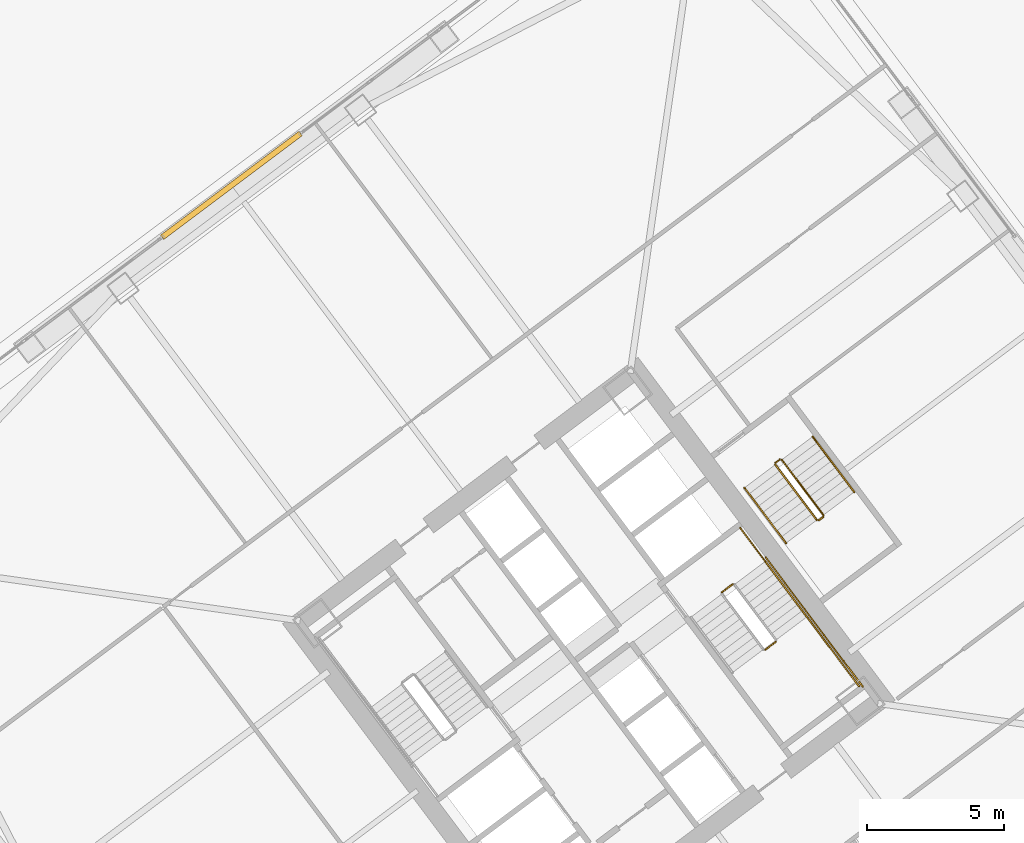
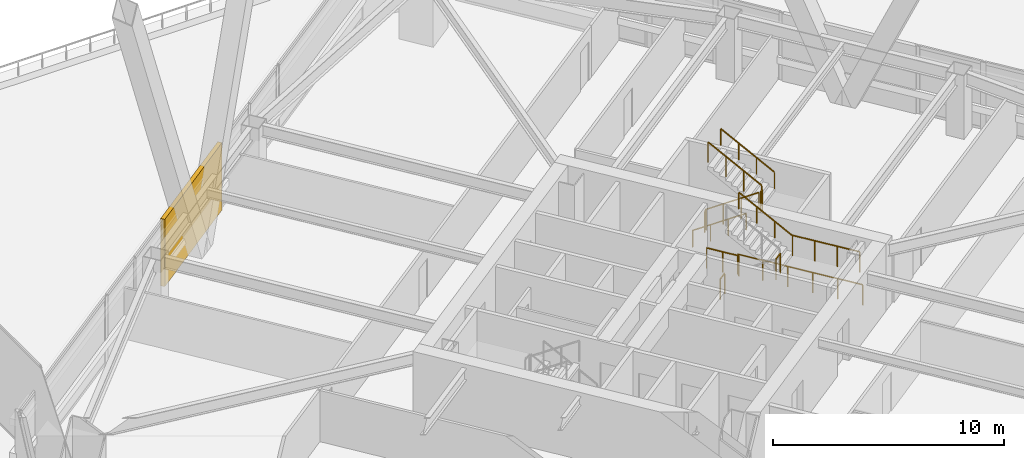
# One storey, part 81 of 83: 12 railings, 1 covering.
"""IFC4 building model written with IfcOpenShell, lengths in metres."""

from ifc_helpers import new_model, si_unit, direction, frame, origin, origin_2d, place, context, subcontext, project, spatial, rectangle, extrude, material, layer, layer_set, type_object, element, save


model = new_model("IFC4")

# Units and contexts
model_context = context("Model", 3, precision=1e-05, world=origin(), true_north=direction((0.0, 1.0)))
body_context = subcontext(model_context, "Body", "Model", "MODEL_VIEW")
ifc_project = project(units=[si_unit("LENGTHUNIT", "METRE"), si_unit("AREAUNIT", "SQUARE_METRE"), si_unit("VOLUMEUNIT", "CUBIC_METRE"), si_unit("PLANEANGLEUNIT", "RADIAN"), si_unit("MASSUNIT", "GRAM", prefix="KILO")], contexts=[model_context])

# Site, building, storey
site_placement = place(None, origin())
site = spatial("IfcSite", under=ifc_project, at=site_placement, CompositionType="ELEMENT")
building_placement = place(site_placement, origin())
building = spatial("IfcBuilding", under=site, at=building_placement, Name="Tashvorn Skyway Center", CompositionType="ELEMENT")
storey_placement = place(building_placement, frame((0.0, 0.0, 24.60009765625)))
storey = spatial("IfcBuildingStorey", under=building, at=storey_placement, Name="L05", CompositionType="ELEMENT", Elevation=24.60009765625)

# Covering
ifc_material_1 = material(Name="Precast concrete C40/50", Category="concrete")
ifc_layer = layer(ifc_material_1, 0.199951171875)
ifc_layer_set = layer_set([ifc_layer], Name="Precast concrete C40/50")
covering_type = type_object("IfcCoveringType", Name="COV-BRACE-CLAD", PredefinedType="CLADDING", material=ifc_layer_set)
covering_placement = place(storey_placement, frame((100.991943359375, 49.343994140625, 0.0), z_axis=(0.0, 0.0, 1.0), x_axis=(0.799999996291, 0.600000004945, 0.0)))
element("IfcCovering", 1, at=covering_placement, inside=storey, type_object=covering_type, Name="Tower 2 L05 North Unitised Curtain Wall Mega-Brace Cladding Band 1", PredefinedType="CLADDING", context=body_context, shape_type="SweptSolid", body=[
    extrude(rectangle(XDim=6.293212890625, YDim=0.199951171875, at=origin_2d()), origin(), (0.0, 0.0, 1.0), 3.550048828125),
])

# Railings
ifc_material_2 = material(Name="Brushed stainless steel 316", Category="steel")
railing_type_1 = type_object("IfcRailingType", Name="RAIL-HAND-920", PredefinedType="HANDRAIL", material=ifc_material_2)
railing_1_placement = place(storey_placement, frame((121.927978515625, 33.64599609375, 1.952392578125)))
element("IfcRailing", 2, at=railing_1_placement, inside=storey, type_object=railing_type_1, Name="L05 ST-T2-2 stair handrail 2", PredefinedType="HANDRAIL", context=body_context, shape_type="SweptSolid", body=[
    extrude(rectangle(XDim=0.048095703125, YDim=0.048095703125, at=origin_2d()), frame((0.0, 0.0, 0.8759765625), z_axis=(-0.506740800098, 0.675708949977, 0.535379469569), x_axis=(-0.800023250257, -0.599968998406, 0.0)), (0.0, 0.0, 1.0), 2.983642578125),
    extrude(rectangle(XDim=0.0419921875, YDim=0.0419921875, at=origin_2d()), origin(), (0.0, 0.0, 1.0), 0.851806640625),
    extrude(rectangle(XDim=0.0419921875, YDim=0.0419921875, at=origin_2d()), frame((-0.50390625, 0.672119140625, 0.532470703125)), (0.0, 0.0, 1.0), 0.851806640625),
    extrude(rectangle(XDim=0.0419921875, YDim=0.0419921875, at=origin_2d()), frame((-1.008056640625, 1.343994140625, 1.06494140625)), (0.0, 0.0, 1.0), 0.851806640625),
    extrude(rectangle(XDim=0.0419921875, YDim=0.0419921875, at=origin_2d()), frame((-1.511962890625, 2.01611328125, 1.597412109375)), (0.0, 0.0, 1.0), 0.851806640625),
])
railing_2_placement = place(storey_placement, frame((119.656005859375, 38.342041015625, 0.177490234375)))
element("IfcRailing", 3, at=railing_2_placement, inside=storey, type_object=railing_type_1, Name="L05 ST-T2-3 stair handrail 1", PredefinedType="HANDRAIL", context=body_context, shape_type="SweptSolid", body=[
    extrude(rectangle(XDim=0.048095703125, YDim=0.048095703125, at=origin_2d()), frame((0.0, 0.0, 0.8759765625), z_axis=(0.506740800098, -0.675708949977, 0.535379469569), x_axis=(0.800023250257, 0.599968998406, 0.0)), (0.0, 0.0, 1.0), 2.983642578125),
    extrude(rectangle(XDim=0.0419921875, YDim=0.0419921875, at=origin_2d()), origin(), (0.0, 0.0, 1.0), 0.851806640625),
    extrude(rectangle(XDim=0.0419921875, YDim=0.0419921875, at=origin_2d()), frame((0.50390625, -0.672119140625, 0.532470703125)), (0.0, 0.0, 1.0), 0.851806640625),
    extrude(rectangle(XDim=0.0419921875, YDim=0.0419921875, at=origin_2d()), frame((1.008056640625, -1.343994140625, 1.06494140625)), (0.0, 0.0, 1.0), 0.851806640625),
    extrude(rectangle(XDim=0.0419921875, YDim=0.0419921875, at=origin_2d()), frame((1.511962890625, -2.01611328125, 1.597412109375)), (0.0, 0.0, 1.0), 0.851806640625),
])
railing_3_placement = place(storey_placement, frame((123.64794921875, 38.18603515625, 1.952392578125)))
element("IfcRailing", 4, at=railing_3_placement, inside=storey, type_object=railing_type_1, Name="L05 ST-T2-3 stair handrail 2", PredefinedType="HANDRAIL", context=body_context, shape_type="SweptSolid", body=[
    extrude(rectangle(XDim=0.048095703125, YDim=0.048095703125, at=origin_2d()), frame((0.0, 0.0, 0.8759765625), z_axis=(-0.506768818287, 0.675664481285, 0.535409071218), x_axis=(-0.79998837352, -0.60001550166, 0.0)), (0.0, 0.0, 1.0), 2.983642578125),
    extrude(rectangle(XDim=0.0419921875, YDim=0.0419921875, at=origin_2d()), origin(), (0.0, 0.0, 1.0), 0.851806640625),
    extrude(rectangle(XDim=0.0419921875, YDim=0.0419921875, at=origin_2d()), frame((-0.50390625, 0.671875, 0.532470703125)), (0.0, 0.0, 1.0), 0.851806640625),
    extrude(rectangle(XDim=0.0419921875, YDim=0.0419921875, at=origin_2d()), frame((-1.008056640625, 1.343994140625, 1.06494140625)), (0.0, 0.0, 1.0), 0.851806640625),
    extrude(rectangle(XDim=0.0419921875, YDim=0.0419921875, at=origin_2d()), frame((-1.511962890625, 2.015869140625, 1.597412109375)), (0.0, 0.0, 1.0), 0.851806640625),
])
ifc_material_3 = material(Name="Painted galvanized steel S355", Category="steel")
railing_type_2 = type_object("IfcRailingType", Name="RAIL-STGUARD-1100", PredefinedType="GUARDRAIL", material=ifc_material_3)
railing_4_placement = place(storey_placement, frame((120.4140625, 32.447998046875, 1.77490234375)))
element("IfcRailing", 5, at=railing_4_placement, inside=storey, type_object=railing_type_2, Name="L05 ST-T2-2 stair guard 2", PredefinedType="GUARDRAIL", context=body_context, shape_type="SweptSolid", body=[
    extrude(rectangle(XDim=0.048095703125, YDim=0.048095703125, at=origin_2d()), frame((0.0, 0.0, 1.076171875), z_axis=(0.799938970639, 0.600081363861, 0.0), x_axis=(-0.600081363861, 0.799938970639, 0.0)), (0.0, 0.0, 1.0), 0.47998046875),
    extrude(rectangle(XDim=0.0419921875, YDim=0.0419921875, at=origin_2d()), origin(), (0.0, 0.0, 1.0), 1.052001953125),
    extrude(rectangle(XDim=0.0419921875, YDim=0.0419921875, at=origin_2d()), frame((0.384033203125, 0.2880859375, 0.0)), (0.0, 0.0, 1.0), 1.052001953125),
])
railing_5_placement = place(storey_placement, frame((121.927978515625, 33.64599609375, 1.77490234375)))
element("IfcRailing", 6, at=railing_5_placement, inside=storey, type_object=railing_type_2, Name="L05 ST-T2-2 stair guard 3", PredefinedType="GUARDRAIL", context=body_context, shape_type="SweptSolid", body=[
    extrude(rectangle(XDim=0.048095703125, YDim=0.048095703125, at=origin_2d()), frame((0.0, 0.0, 1.076171875), z_axis=(0.599987638607, -0.800009270896, 0.0), x_axis=(0.800009270896, 0.599987638607, 0.0)), (0.0, 0.0, 1.0), 3.16015625),
    extrude(rectangle(XDim=0.0419921875, YDim=0.0419921875, at=origin_2d()), origin(), (0.0, 0.0, 1.0), 1.052001953125),
    extrude(rectangle(XDim=0.0419921875, YDim=0.0419921875, at=origin_2d()), frame((0.632080078125, -0.8427734375, 0.0)), (0.0, 0.0, 1.0), 1.052001953125),
    extrude(rectangle(XDim=0.0419921875, YDim=0.0419921875, at=origin_2d()), frame((1.263916015625, -1.685302734375, 0.0)), (0.0, 0.0, 1.0), 1.052001953125),
    extrude(rectangle(XDim=0.0419921875, YDim=0.0419921875, at=origin_2d()), frame((1.89599609375, -2.528076171875, 0.0)), (0.0, 0.0, 1.0), 1.052001953125),
])
railing_6_placement = place(storey_placement, frame((118.842041015625, 34.5439453125, 0.0)))
element("IfcRailing", 7, at=railing_6_placement, inside=storey, type_object=railing_type_2, Name="L05 ST-T2-2 stair guard 5", PredefinedType="GUARDRAIL", context=body_context, shape_type="SweptSolid", body=[
    extrude(rectangle(XDim=0.048095703125, YDim=0.048095703125, at=origin_2d()), frame((0.0, 0.0, 1.076171875), z_axis=(0.799938970639, 0.600081363861, 0.0), x_axis=(-0.600081363861, 0.799938970639, 0.0)), (0.0, 0.0, 1.0), 0.47998046875),
    extrude(rectangle(XDim=0.0419921875, YDim=0.0419921875, at=origin_2d()), origin(), (0.0, 0.0, 1.0), 1.052001953125),
    extrude(rectangle(XDim=0.0419921875, YDim=0.0419921875, at=origin_2d()), frame((0.384033203125, 0.2880859375, 0.0)), (0.0, 0.0, 1.0), 1.052001953125),
])
railing_7_placement = place(storey_placement, frame((119.50390625, 36.8779296875, 0.0)))
element("IfcRailing", 8, at=railing_7_placement, inside=storey, type_object=railing_type_2, Name="L05 ST-T2-2 stair guard 6", PredefinedType="GUARDRAIL", context=body_context, shape_type="SweptSolid", body=[
    extrude(rectangle(XDim=0.048095703125, YDim=0.048095703125, at=origin_2d()), frame((0.0, 0.0, 1.076171875), z_axis=(0.600102796382, -0.799922892393, 0.0), x_axis=(0.799922892393, 0.600102796382, 0.0)), (0.0, 0.0, 1.0), 1.52001953125),
    extrude(rectangle(XDim=0.0419921875, YDim=0.0419921875, at=origin_2d()), origin(), (0.0, 0.0, 1.0), 1.052001953125),
    extrude(rectangle(XDim=0.0419921875, YDim=0.0419921875, at=origin_2d()), frame((0.4560546875, -0.60791015625, 0.0)), (0.0, 0.0, 1.0), 1.052001953125),
    extrude(rectangle(XDim=0.0419921875, YDim=0.0419921875, at=origin_2d()), frame((0.912109375, -1.2158203125, 0.0)), (0.0, 0.0, 1.0), 1.052001953125),
])
railing_8_placement = place(storey_placement, frame((120.43603515625, 35.802001953125, 0.0)))
element("IfcRailing", 9, at=railing_8_placement, inside=storey, type_object=railing_type_2, Name="L05 ST-T2-2 stair guard 7", PredefinedType="GUARDRAIL", context=body_context, shape_type="SweptSolid", body=[
    extrude(rectangle(XDim=0.048095703125, YDim=0.048095703125, at=origin_2d()), frame((0.0, 0.0, 1.076171875), z_axis=(0.6, -0.8, 0.0), x_axis=(0.8, 0.6, 0.0)), (0.0, 0.0, 1.0), 5.880126953125),
    extrude(rectangle(XDim=0.0419921875, YDim=0.0419921875, at=origin_2d()), origin(), (0.0, 0.0, 1.0), 1.052001953125),
    extrude(rectangle(XDim=0.0419921875, YDim=0.0419921875, at=origin_2d()), frame((0.70556640625, -0.94091796875, 0.0)), (0.0, 0.0, 1.0), 1.052001953125),
    extrude(rectangle(XDim=0.0419921875, YDim=0.0419921875, at=origin_2d()), frame((1.4111328125, -1.881591796875, 0.0)), (0.0, 0.0, 1.0), 1.052001953125),
    extrude(rectangle(XDim=0.0419921875, YDim=0.0419921875, at=origin_2d()), frame((2.116943359375, -2.822509765625, 0.0)), (0.0, 0.0, 1.0), 1.052001953125),
    extrude(rectangle(XDim=0.0419921875, YDim=0.0419921875, at=origin_2d()), frame((2.822509765625, -3.76318359375, 0.0)), (0.0, 0.0, 1.0), 1.052001953125),
    extrude(rectangle(XDim=0.0419921875, YDim=0.0419921875, at=origin_2d()), frame((3.528076171875, -4.7041015625, 0.0)), (0.0, 0.0, 1.0), 1.052001953125),
])
railing_9_placement = place(storey_placement, frame((120.77587890625, 39.181884765625, 0.177490234375)))
element("IfcRailing", 10, at=railing_9_placement, inside=storey, type_object=railing_type_2, Name="L05 ST-T2-3 stair guard 1", PredefinedType="GUARDRAIL", context=body_context, shape_type="SweptSolid", body=[
    extrude(rectangle(XDim=0.048095703125, YDim=0.048095703125, at=origin_2d()), frame((0.0, 0.0, 1.076171875), z_axis=(0.506829628838, -0.67563646195, 0.535386868177), x_axis=(0.799941867976, 0.600077501544, 0.0)), (0.0, 0.0, 1.0), 2.983642578125),
    extrude(rectangle(XDim=0.0419921875, YDim=0.0419921875, at=origin_2d()), origin(), (0.0, 0.0, 1.0), 1.052001953125),
    extrude(rectangle(XDim=0.0419921875, YDim=0.0419921875, at=origin_2d()), frame((0.504150390625, -0.671875, 0.532470703125)), (0.0, 0.0, 1.0), 1.052001953125),
    extrude(rectangle(XDim=0.0419921875, YDim=0.0419921875, at=origin_2d()), frame((1.008056640625, -1.343994140625, 1.06494140625)), (0.0, 0.0, 1.0), 1.052001953125),
    extrude(rectangle(XDim=0.0419921875, YDim=0.0419921875, at=origin_2d()), frame((1.51220703125, -2.015869140625, 1.597412109375)), (0.0, 0.0, 1.0), 1.052001953125),
])
railing_10_placement = place(storey_placement, frame((122.35791015625, 37.156005859375, 1.77490234375)))
element("IfcRailing", 11, at=railing_10_placement, inside=storey, type_object=railing_type_2, Name="L05 ST-T2-3 stair guard 2", PredefinedType="GUARDRAIL", context=body_context, shape_type="SweptSolid", body=[
    extrude(rectangle(XDim=0.048095703125, YDim=0.048095703125, at=origin_2d()), frame((0.0, 0.0, 1.076171875), z_axis=(0.800585412921, 0.599218655098, 0.0), x_axis=(-0.599218655098, 0.800585412921, 0.0)), (0.0, 0.0, 1.0), 0.199951171875),
    extrude(rectangle(XDim=0.0419921875, YDim=0.0419921875, at=origin_2d()), origin(), (0.0, 0.0, 1.0), 1.052001953125),
    extrude(rectangle(XDim=0.0419921875, YDim=0.0419921875, at=origin_2d()), frame((0.16015625, 0.119873046875, 0.0)), (0.0, 0.0, 1.0), 1.052001953125),
])
railing_11_placement = place(storey_placement, frame((122.528076171875, 37.345947265625, 1.952392578125)))
element("IfcRailing", 12, at=railing_11_placement, inside=storey, type_object=railing_type_2, Name="L05 ST-T2-3 stair guard 3", PredefinedType="GUARDRAIL", context=body_context, shape_type="SweptSolid", body=[
    extrude(rectangle(XDim=0.048095703125, YDim=0.048095703125, at=origin_2d()), frame((0.0, 0.0, 1.076171875), z_axis=(-0.506740800098, 0.675708949977, 0.535379469569), x_axis=(-0.800023250257, -0.599968998406, 0.0)), (0.0, 0.0, 1.0), 2.983642578125),
    extrude(rectangle(XDim=0.0419921875, YDim=0.0419921875, at=origin_2d()), origin(), (0.0, 0.0, 1.0), 1.052001953125),
    extrude(rectangle(XDim=0.0419921875, YDim=0.0419921875, at=origin_2d()), frame((-0.50390625, 0.672119140625, 0.532470703125)), (0.0, 0.0, 1.0), 1.052001953125),
    extrude(rectangle(XDim=0.0419921875, YDim=0.0419921875, at=origin_2d()), frame((-1.008056640625, 1.343994140625, 1.06494140625)), (0.0, 0.0, 1.0), 1.052001953125),
    extrude(rectangle(XDim=0.0419921875, YDim=0.0419921875, at=origin_2d()), frame((-1.511962890625, 2.01611328125, 1.597412109375)), (0.0, 0.0, 1.0), 1.052001953125),
])
railing_12_placement = place(storey_placement, frame((120.785888671875, 39.251953125, 0.0)))
element("IfcRailing", 13, at=railing_12_placement, inside=storey, type_object=railing_type_2, Name="L05 ST-T2-3 stair guard 4", PredefinedType="GUARDRAIL", context=body_context, shape_type="SweptSolid", body=[
    extrude(rectangle(XDim=0.048095703125, YDim=0.048095703125, at=origin_2d()), frame((0.0, 0.0, 1.076171875), z_axis=(0.8, 0.6, 0.0), x_axis=(-0.6, 0.8, 0.0)), (0.0, 0.0, 1.0), 0.2001953125),
    extrude(rectangle(XDim=0.0419921875, YDim=0.0419921875, at=origin_2d()), origin(), (0.0, 0.0, 1.0), 1.052001953125),
    extrude(rectangle(XDim=0.0419921875, YDim=0.0419921875, at=origin_2d()), frame((0.16015625, 0.1201171875, 0.0)), (0.0, 0.0, 1.0), 1.052001953125),
])

save(model, "model.ifc")
